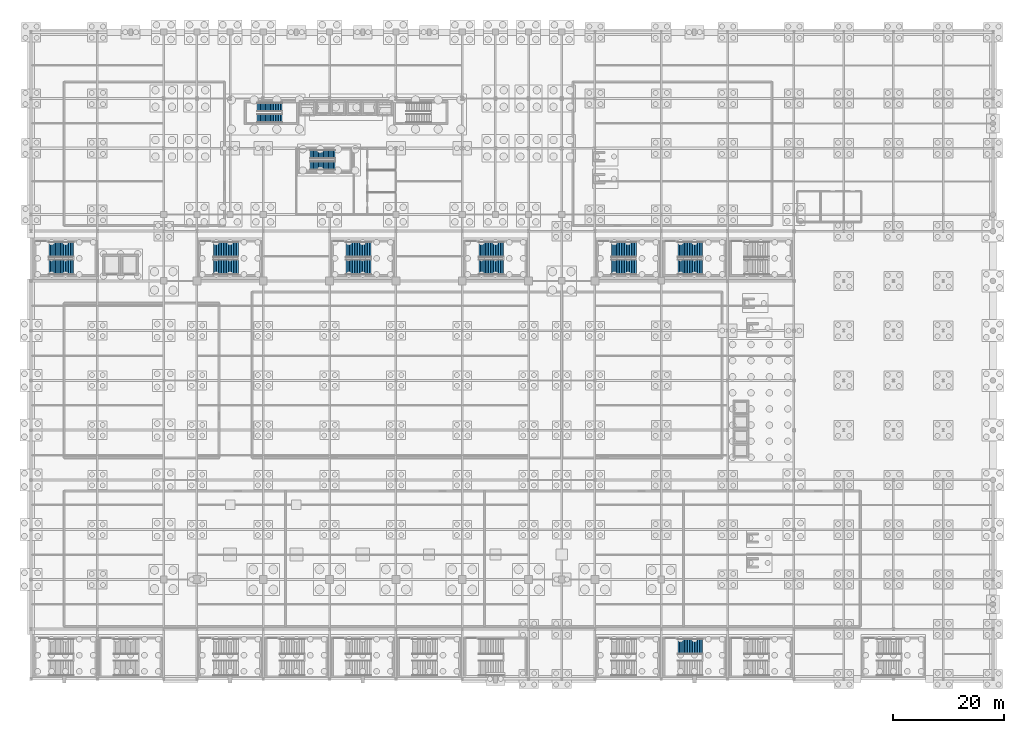
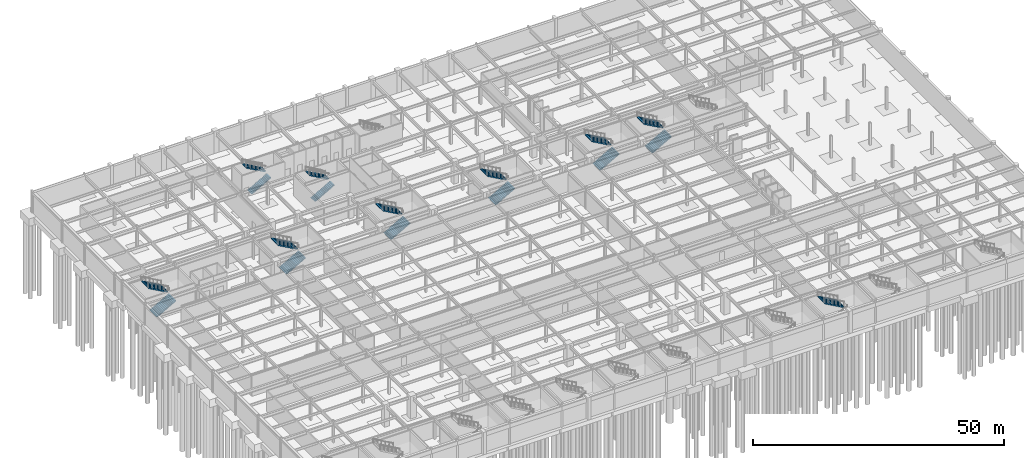
# One storey, part 37 of 47: 17 stair flights, 9 elements without a shape of their own.
"""IFC4 building model written with IfcOpenShell, lengths in metres."""

from ifc_helpers import new_model, si_unit, direction, frame, origin, place, context, subcontext, project, spatial, polyline, outline, extrude, material, type_object, element, aggregate, save


model = new_model("IFC4")

# Units and contexts
model_context = context("Model", 3, precision=1e-05, world=origin(), true_north=direction((0.0, 1.0)))
body_context = subcontext(model_context, "Body", "Model", "MODEL_VIEW")
ifc_project = project(units=[si_unit("LENGTHUNIT", "METRE"), si_unit("AREAUNIT", "SQUARE_METRE"), si_unit("VOLUMEUNIT", "CUBIC_METRE"), si_unit("PLANEANGLEUNIT", "RADIAN"), si_unit("MASSUNIT", "GRAM", prefix="KILO")], contexts=[model_context])

# Site, building, storey
site_placement = place(None, origin())
site = spatial("IfcSite", under=ifc_project, at=site_placement, CompositionType="ELEMENT")
building_placement = place(site_placement, origin())
building = spatial("IfcBuilding", under=site, at=building_placement, Name="Kaldorvane Square Convention Centre", CompositionType="ELEMENT")
storey_placement = place(building_placement, frame((0.0, 0.0, -5.399993896484375)))
storey = spatial("IfcBuildingStorey", under=building, at=storey_placement, Name="B01", CompositionType="ELEMENT", Elevation=-5.399993896484375)

# Stair, stair flights
ifc_material = material(Name="Concrete f'c = 42 MPa (Normalweight)", Category="concrete")
stair_type_1 = type_object("IfcStairType", Name="ST-DL-1600-5400", PredefinedType="HALF_TURN_STAIR", material=ifc_material)
stair_1_placement = place(storey_placement, origin())
stair_1 = element("IfcStair", 1, at=stair_1_placement, inside=storey, type_object=stair_type_1, Name="Tower Exit Stair T1 (B01)", PredefinedType="HALF_TURN_STAIR")
stair_flight_type_1 = type_object("IfcStairFlightType", Name="SF-STR-1600-16R", PredefinedType="STRAIGHT", material=ifc_material)
stair_flight_1_placement = place(storey_placement, frame((40.899993896484375, 101.41000366210938, 0.0), z_axis=(0.0, 0.0, 1.0), x_axis=(1.0, 0.0, 0.0)))
stair_flight_1 = element("IfcStairFlight", 2, at=stair_flight_1_placement, type_object=stair_flight_type_1, Name="Tower Exit Stair T1 Flight 1 (B01)", NumberOfRisers=16, NumberOfTreads=15, PredefinedType="STRAIGHT", RiserHeight=0.16875, TreadLength=0.3, context=body_context, shape_type="SweptSolid", body=[
    extrude(outline(polyline([(0.0, 0.0), (0.0, 0.1687469482421875), (0.3000030517578125, 0.1687469482421875), (0.3000030517578125, 0.337493896484375), (0.600006103515625, 0.337493896484375), (0.600006103515625, 0.506256103515625), (0.899993896484375, 0.506256103515625), (0.899993896484375, 0.6750030517578125), (1.1999969482421875, 0.6750030517578125), (1.1999969482421875, 0.84375), (1.5, 0.84375), (1.5, 1.0124969482421875), (1.8000030517578125, 1.0124969482421875), (1.8000030517578125, 1.181243896484375), (2.100006103515625, 1.181243896484375), (2.100006103515625, 1.350006103515625), (2.399993896484375, 1.350006103515625), (2.399993896484375, 1.5187530517578125), (2.6999969482421875, 1.5187530517578125), (2.6999969482421875, 1.6875), (3.0, 1.6875), (3.0, 1.8562469482421875), (3.3000030517578125, 1.8562469482421875), (3.3000030517578125, 2.024993896484375), (3.600006103515625, 2.024993896484375), (3.600006103515625, 2.193756103515625), (3.899993896484375, 2.193756103515625), (3.899993896484375, 2.3625030517578125), (4.1999969482421875, 2.3625030517578125), (4.1999969482421875, 2.53125), (4.5, 2.53125), (4.5, 2.6999969482421875), (4.5, 2.301788330078125), (0.4079437255859375, 0.0), (0.0, 0.0)])), frame((0.0, 0.8000030517578125, 0.0), z_axis=(0.0, -1.0, 0.0), x_axis=(1.0, 0.0, 0.0)), (0.0, 0.0, 1.0), 1.600006103515625),
])
stair_flight_2_placement = place(storey_placement, frame((45.399993896484375, 103.44999694824219, 2.6999969482421875), z_axis=(0.0, 0.0, 1.0), x_axis=(-1.0, 0.0, 0.0)))
stair_flight_2 = element("IfcStairFlight", 3, at=stair_flight_2_placement, type_object=stair_flight_type_1, Name="Tower Exit Stair T1 Flight 2 (B01)", NumberOfRisers=16, NumberOfTreads=15, PredefinedType="STRAIGHT", RiserHeight=0.16875, TreadLength=0.3, context=body_context, shape_type="SweptSolid", body=[
    extrude(outline(polyline([(0.0, 0.0), (0.0, 0.1687469482421875), (0.3000030517578125, 0.1687469482421875), (0.3000030517578125, 0.337493896484375), (0.600006103515625, 0.337493896484375), (0.600006103515625, 0.506256103515625), (0.899993896484375, 0.506256103515625), (0.899993896484375, 0.6750030517578125), (1.1999969482421875, 0.6750030517578125), (1.1999969482421875, 0.84375), (1.5, 0.84375), (1.5, 1.0124969482421875), (1.8000030517578125, 1.0124969482421875), (1.8000030517578125, 1.181243896484375), (2.100006103515625, 1.181243896484375), (2.100006103515625, 1.350006103515625), (2.399993896484375, 1.350006103515625), (2.399993896484375, 1.5187530517578125), (2.6999969482421875, 1.5187530517578125), (2.6999969482421875, 1.6875), (3.0, 1.6875), (3.0, 1.8562469482421875), (3.3000030517578125, 1.8562469482421875), (3.3000030517578125, 2.024993896484375), (3.600006103515625, 2.024993896484375), (3.600006103515625, 2.193756103515625), (3.899993896484375, 2.193756103515625), (3.899993896484375, 2.3625030517578125), (4.1999969482421875, 2.3625030517578125), (4.1999969482421875, 2.53125), (4.5, 2.53125), (4.5, 2.6999969482421875), (4.5, 2.301788330078125), (0.4079437255859375, 0.0), (0.0, 0.0)])), frame((0.0, 0.8000030517578125, 0.0), z_axis=(0.0, -1.0, 0.0), x_axis=(1.0, 0.0, 0.0)), (0.0, 0.0, 1.0), 1.600006103515625),
])
aggregate(stair_1, [stair_flight_1, stair_flight_2])

stair_2_placement = place(storey_placement, origin())
stair_2 = element("IfcStair", 4, at=stair_2_placement, inside=storey, type_object=stair_type_1, Name="Tower Exit Stair T3 (B01)", PredefinedType="HALF_TURN_STAIR")
stair_flight_3_placement = place(storey_placement, frame((50.5, 92.86000061035156, 0.0), z_axis=(0.0, 0.0, 1.0), x_axis=(1.0, 0.0, 0.0)))
stair_flight_3 = element("IfcStairFlight", 5, at=stair_flight_3_placement, type_object=stair_flight_type_1, Name="Tower Exit Stair T3 Flight 1 (B01)", NumberOfRisers=16, NumberOfTreads=15, PredefinedType="STRAIGHT", RiserHeight=0.16875, TreadLength=0.3, context=body_context, shape_type="SweptSolid", body=[
    extrude(outline(polyline([(0.0, 0.0), (0.0, 0.1687469482421875), (0.3000030517578125, 0.1687469482421875), (0.3000030517578125, 0.337493896484375), (0.600006103515625, 0.337493896484375), (0.600006103515625, 0.506256103515625), (0.899993896484375, 0.506256103515625), (0.899993896484375, 0.6750030517578125), (1.1999969482421875, 0.6750030517578125), (1.1999969482421875, 0.84375), (1.5, 0.84375), (1.5, 1.0124969482421875), (1.8000030517578125, 1.0124969482421875), (1.8000030517578125, 1.181243896484375), (2.100006103515625, 1.181243896484375), (2.100006103515625, 1.350006103515625), (2.399993896484375, 1.350006103515625), (2.399993896484375, 1.5187530517578125), (2.6999969482421875, 1.5187530517578125), (2.6999969482421875, 1.6875), (3.0, 1.6875), (3.0, 1.8562469482421875), (3.3000030517578125, 1.8562469482421875), (3.3000030517578125, 2.024993896484375), (3.600006103515625, 2.024993896484375), (3.600006103515625, 2.193756103515625), (3.899993896484375, 2.193756103515625), (3.899993896484375, 2.3625030517578125), (4.1999969482421875, 2.3625030517578125), (4.1999969482421875, 2.53125), (4.5, 2.53125), (4.5, 2.6999969482421875), (4.5, 2.301788330078125), (0.4079437255859375, 0.0), (0.0, 0.0)])), frame((0.0, 0.8000030517578125, 0.0), z_axis=(0.0, -1.0, 0.0), x_axis=(1.0, 0.0, 0.0)), (0.0, 0.0, 1.0), 1.600006103515625),
])
stair_flight_4_placement = place(storey_placement, frame((55.0, 94.89999389648438, 2.6999969482421875), z_axis=(0.0, 0.0, 1.0), x_axis=(-1.0, 0.0, 0.0)))
stair_flight_4 = element("IfcStairFlight", 6, at=stair_flight_4_placement, type_object=stair_flight_type_1, Name="Tower Exit Stair T3 Flight 2 (B01)", NumberOfRisers=16, NumberOfTreads=15, PredefinedType="STRAIGHT", RiserHeight=0.16875, TreadLength=0.3, context=body_context, shape_type="SweptSolid", body=[
    extrude(outline(polyline([(0.0, 0.0), (0.0, 0.1687469482421875), (0.3000030517578125, 0.1687469482421875), (0.3000030517578125, 0.337493896484375), (0.600006103515625, 0.337493896484375), (0.600006103515625, 0.506256103515625), (0.899993896484375, 0.506256103515625), (0.899993896484375, 0.6750030517578125), (1.1999969482421875, 0.6750030517578125), (1.1999969482421875, 0.84375), (1.5, 0.84375), (1.5, 1.0124969482421875), (1.8000030517578125, 1.0124969482421875), (1.8000030517578125, 1.181243896484375), (2.100006103515625, 1.181243896484375), (2.100006103515625, 1.350006103515625), (2.399993896484375, 1.350006103515625), (2.399993896484375, 1.5187530517578125), (2.6999969482421875, 1.5187530517578125), (2.6999969482421875, 1.6875), (3.0, 1.6875), (3.0, 1.8562469482421875), (3.3000030517578125, 1.8562469482421875), (3.3000030517578125, 2.024993896484375), (3.600006103515625, 2.024993896484375), (3.600006103515625, 2.193756103515625), (3.899993896484375, 2.193756103515625), (3.899993896484375, 2.3625030517578125), (4.1999969482421875, 2.3625030517578125), (4.1999969482421875, 2.53125), (4.5, 2.53125), (4.5, 2.6999969482421875), (4.5, 2.301788330078125), (0.4079437255859375, 0.0), (0.0, 0.0)])), frame((0.0, 0.8000030517578125, 0.0), z_axis=(0.0, -1.0, 0.0), x_axis=(1.0, 0.0, 0.0)), (0.0, 0.0, 1.0), 1.600006103515625),
])
aggregate(stair_2, [stair_flight_3, stair_flight_4])

# Stair, stair flight
stair_type_2 = type_object("IfcStairType", Name="ST-DL-2800-5400-D6710", PredefinedType="HALF_TURN_STAIR", material=ifc_material)
stair_3_placement = place(storey_placement, origin())
stair_3 = element("IfcStair", 7, at=stair_3_placement, inside=storey, type_object=stair_type_2, Name="Convention Exit Stair C9 (B01)", PredefinedType="HALF_TURN_STAIR")
stair_flight_type_2 = type_object("IfcStairFlightType", Name="SF-STR-2800-16R", PredefinedType="STRAIGHT", material=ifc_material)
stair_flight_5_placement = place(storey_placement, frame((121.49000549316406, 5.8600006103515625, 2.6999969482421875), z_axis=(0.0, 0.0, 1.0), x_axis=(-1.0, 0.0, 0.0)))
stair_flight_5 = element("IfcStairFlight", 8, at=stair_flight_5_placement, type_object=stair_flight_type_2, Name="Convention Exit Stair C9 Flight 2 (B01)", NumberOfRisers=16, NumberOfTreads=15, PredefinedType="STRAIGHT", RiserHeight=0.16875, TreadLength=0.3, context=body_context, shape_type="SweptSolid", body=[
    extrude(outline(polyline([(0.0, 0.0), (0.0, 0.1687469482421875), (0.3000030517578125, 0.1687469482421875), (0.3000030517578125, 0.337493896484375), (0.600006103515625, 0.337493896484375), (0.600006103515625, 0.506256103515625), (0.899993896484375, 0.506256103515625), (0.899993896484375, 0.6750030517578125), (1.1999969482421875, 0.6750030517578125), (1.1999969482421875, 0.84375), (1.5, 0.84375), (1.5, 1.0124969482421875), (1.8000030517578125, 1.0124969482421875), (1.8000030517578125, 1.181243896484375), (2.100006103515625, 1.181243896484375), (2.100006103515625, 1.350006103515625), (2.399993896484375, 1.350006103515625), (2.399993896484375, 1.5187530517578125), (2.6999969482421875, 1.5187530517578125), (2.6999969482421875, 1.6875), (3.0, 1.6875), (3.0, 1.8562469482421875), (3.3000030517578125, 1.8562469482421875), (3.3000030517578125, 2.024993896484375), (3.600006103515625, 2.024993896484375), (3.600006103515625, 2.193756103515625), (3.899993896484375, 2.193756103515625), (3.899993896484375, 2.3625030517578125), (4.1999969482421875, 2.3625030517578125), (4.1999969482421875, 2.53125), (4.5, 2.53125), (4.5, 2.6999969482421875), (4.5, 2.301788330078125), (0.4079437255859375, 0.0), (0.0, 0.0)])), frame((0.0, 1.399993896484375, 0.0), z_axis=(0.0, -1.0, 0.0), x_axis=(1.0, 0.0, 0.0)), (0.0, 0.0, 1.0), 2.8000030517578125),
])
aggregate(stair_3, [stair_flight_5])

# Stair, stair flights
stair_type_3 = type_object("IfcStairType", Name="ST-DL-2800-5400", PredefinedType="HALF_TURN_STAIR", material=ifc_material)
stair_4_placement = place(storey_placement, origin())
stair_4 = element("IfcStair", 9, at=stair_4_placement, inside=storey, type_object=stair_type_3, Name="Convention Exit Stair C12 (B01)", PredefinedType="HALF_TURN_STAIR")
stair_flight_6_placement = place(storey_placement, frame((3.2100067138671875, 74.5, 0.0), z_axis=(0.0, 0.0, 1.0), x_axis=(1.0, 0.0, 0.0)))
stair_flight_6 = element("IfcStairFlight", 10, at=stair_flight_6_placement, type_object=stair_flight_type_2, Name="Convention Exit Stair C12 Flight 1 (B01)", NumberOfRisers=16, NumberOfTreads=15, PredefinedType="STRAIGHT", RiserHeight=0.16875, TreadLength=0.3, context=body_context, shape_type="SweptSolid", body=[
    extrude(outline(polyline([(0.0, 0.0), (0.0, 0.1687469482421875), (0.3000030517578125, 0.1687469482421875), (0.3000030517578125, 0.337493896484375), (0.600006103515625, 0.337493896484375), (0.600006103515625, 0.506256103515625), (0.899993896484375, 0.506256103515625), (0.899993896484375, 0.6750030517578125), (1.1999969482421875, 0.6750030517578125), (1.1999969482421875, 0.84375), (1.5, 0.84375), (1.5, 1.0124969482421875), (1.8000030517578125, 1.0124969482421875), (1.8000030517578125, 1.181243896484375), (2.100006103515625, 1.181243896484375), (2.100006103515625, 1.350006103515625), (2.399993896484375, 1.350006103515625), (2.399993896484375, 1.5187530517578125), (2.6999969482421875, 1.5187530517578125), (2.6999969482421875, 1.6875), (3.0, 1.6875), (3.0, 1.8562469482421875), (3.3000030517578125, 1.8562469482421875), (3.3000030517578125, 2.024993896484375), (3.600006103515625, 2.024993896484375), (3.600006103515625, 2.193756103515625), (3.899993896484375, 2.193756103515625), (3.899993896484375, 2.3625030517578125), (4.1999969482421875, 2.3625030517578125), (4.1999969482421875, 2.53125), (4.5, 2.53125), (4.5, 2.6999969482421875), (4.5, 2.301788330078125), (0.4079437255859375, 0.0), (0.0, 0.0)])), frame((0.0, 1.399993896484375, 0.0), z_axis=(0.0, -1.0, 0.0), x_axis=(1.0, 0.0, 0.0)), (0.0, 0.0, 1.0), 2.8000030517578125),
])
stair_flight_7_placement = place(storey_placement, frame((7.7100067138671875, 77.66000366210938, 2.6999969482421875), z_axis=(0.0, 0.0, 1.0), x_axis=(-1.0, 0.0, 0.0)))
stair_flight_7 = element("IfcStairFlight", 11, at=stair_flight_7_placement, type_object=stair_flight_type_2, Name="Convention Exit Stair C12 Flight 2 (B01)", NumberOfRisers=16, NumberOfTreads=15, PredefinedType="STRAIGHT", RiserHeight=0.16875, TreadLength=0.3, context=body_context, shape_type="SweptSolid", body=[
    extrude(outline(polyline([(0.0, 0.0), (0.0, 0.1687469482421875), (0.3000030517578125, 0.1687469482421875), (0.3000030517578125, 0.337493896484375), (0.600006103515625, 0.337493896484375), (0.600006103515625, 0.506256103515625), (0.899993896484375, 0.506256103515625), (0.899993896484375, 0.6750030517578125), (1.1999969482421875, 0.6750030517578125), (1.1999969482421875, 0.84375), (1.5, 0.84375), (1.5, 1.0124969482421875), (1.8000030517578125, 1.0124969482421875), (1.8000030517578125, 1.181243896484375), (2.100006103515625, 1.181243896484375), (2.100006103515625, 1.350006103515625), (2.399993896484375, 1.350006103515625), (2.399993896484375, 1.5187530517578125), (2.6999969482421875, 1.5187530517578125), (2.6999969482421875, 1.6875), (3.0, 1.6875), (3.0, 1.8562469482421875), (3.3000030517578125, 1.8562469482421875), (3.3000030517578125, 2.024993896484375), (3.600006103515625, 2.024993896484375), (3.600006103515625, 2.193756103515625), (3.899993896484375, 2.193756103515625), (3.899993896484375, 2.3625030517578125), (4.1999969482421875, 2.3625030517578125), (4.1999969482421875, 2.53125), (4.5, 2.53125), (4.5, 2.6999969482421875), (4.5, 2.301788330078125), (0.4079437255859375, 0.0), (0.0, 0.0)])), frame((0.0, 1.399993896484375, 0.0), z_axis=(0.0, -1.0, 0.0), x_axis=(1.0, 0.0, 0.0)), (0.0, 0.0, 1.0), 2.8000030517578125),
])
aggregate(stair_4, [stair_flight_6, stair_flight_7])

stair_5_placement = place(storey_placement, origin())
stair_5 = element("IfcStair", 12, at=stair_5_placement, inside=storey, type_object=stair_type_3, Name="Convention Exit Stair C13 (B01)", PredefinedType="HALF_TURN_STAIR")
stair_flight_8_placement = place(storey_placement, frame((32.99000549316406, 74.5, 0.0), z_axis=(0.0, 0.0, 1.0), x_axis=(1.0, 0.0, 0.0)))
stair_flight_8 = element("IfcStairFlight", 13, at=stair_flight_8_placement, type_object=stair_flight_type_2, Name="Convention Exit Stair C13 Flight 1 (B01)", NumberOfRisers=16, NumberOfTreads=15, PredefinedType="STRAIGHT", RiserHeight=0.16875, TreadLength=0.3, context=body_context, shape_type="SweptSolid", body=[
    extrude(outline(polyline([(0.0, 0.0), (0.0, 0.1687469482421875), (0.3000030517578125, 0.1687469482421875), (0.3000030517578125, 0.337493896484375), (0.600006103515625, 0.337493896484375), (0.600006103515625, 0.506256103515625), (0.899993896484375, 0.506256103515625), (0.899993896484375, 0.6750030517578125), (1.1999969482421875, 0.6750030517578125), (1.1999969482421875, 0.84375), (1.5, 0.84375), (1.5, 1.0124969482421875), (1.8000030517578125, 1.0124969482421875), (1.8000030517578125, 1.181243896484375), (2.100006103515625, 1.181243896484375), (2.100006103515625, 1.350006103515625), (2.399993896484375, 1.350006103515625), (2.399993896484375, 1.5187530517578125), (2.6999969482421875, 1.5187530517578125), (2.6999969482421875, 1.6875), (3.0, 1.6875), (3.0, 1.8562469482421875), (3.3000030517578125, 1.8562469482421875), (3.3000030517578125, 2.024993896484375), (3.600006103515625, 2.024993896484375), (3.600006103515625, 2.193756103515625), (3.899993896484375, 2.193756103515625), (3.899993896484375, 2.3625030517578125), (4.1999969482421875, 2.3625030517578125), (4.1999969482421875, 2.53125), (4.5, 2.53125), (4.5, 2.6999969482421875), (4.5, 2.301788330078125), (0.4079437255859375, 0.0), (0.0, 0.0)])), frame((0.0, 1.399993896484375, 0.0), z_axis=(0.0, -1.0, 0.0), x_axis=(1.0, 0.0, 0.0)), (0.0, 0.0, 1.0), 2.8000030517578125),
])
stair_flight_9_placement = place(storey_placement, frame((37.49000549316406, 77.66000366210938, 2.6999969482421875), z_axis=(0.0, 0.0, 1.0), x_axis=(-1.0, 0.0, 0.0)))
stair_flight_9 = element("IfcStairFlight", 14, at=stair_flight_9_placement, type_object=stair_flight_type_2, Name="Convention Exit Stair C13 Flight 2 (B01)", NumberOfRisers=16, NumberOfTreads=15, PredefinedType="STRAIGHT", RiserHeight=0.16875, TreadLength=0.3, context=body_context, shape_type="SweptSolid", body=[
    extrude(outline(polyline([(0.0, 0.0), (0.0, 0.1687469482421875), (0.3000030517578125, 0.1687469482421875), (0.3000030517578125, 0.337493896484375), (0.600006103515625, 0.337493896484375), (0.600006103515625, 0.506256103515625), (0.899993896484375, 0.506256103515625), (0.899993896484375, 0.6750030517578125), (1.1999969482421875, 0.6750030517578125), (1.1999969482421875, 0.84375), (1.5, 0.84375), (1.5, 1.0124969482421875), (1.8000030517578125, 1.0124969482421875), (1.8000030517578125, 1.181243896484375), (2.100006103515625, 1.181243896484375), (2.100006103515625, 1.350006103515625), (2.399993896484375, 1.350006103515625), (2.399993896484375, 1.5187530517578125), (2.6999969482421875, 1.5187530517578125), (2.6999969482421875, 1.6875), (3.0, 1.6875), (3.0, 1.8562469482421875), (3.3000030517578125, 1.8562469482421875), (3.3000030517578125, 2.024993896484375), (3.600006103515625, 2.024993896484375), (3.600006103515625, 2.193756103515625), (3.899993896484375, 2.193756103515625), (3.899993896484375, 2.3625030517578125), (4.1999969482421875, 2.3625030517578125), (4.1999969482421875, 2.53125), (4.5, 2.53125), (4.5, 2.6999969482421875), (4.5, 2.301788330078125), (0.4079437255859375, 0.0), (0.0, 0.0)])), frame((0.0, 1.399993896484375, 0.0), z_axis=(0.0, -1.0, 0.0), x_axis=(1.0, 0.0, 0.0)), (0.0, 0.0, 1.0), 2.8000030517578125),
])
aggregate(stair_5, [stair_flight_8, stair_flight_9])

stair_6_placement = place(storey_placement, origin())
stair_6 = element("IfcStair", 15, at=stair_6_placement, inside=storey, type_object=stair_type_3, Name="Convention Exit Stair C14 (B01)", PredefinedType="HALF_TURN_STAIR")
stair_flight_10_placement = place(storey_placement, frame((56.99000549316406, 74.5, 0.0), z_axis=(0.0, 0.0, 1.0), x_axis=(1.0, 0.0, 0.0)))
stair_flight_10 = element("IfcStairFlight", 16, at=stair_flight_10_placement, type_object=stair_flight_type_2, Name="Convention Exit Stair C14 Flight 1 (B01)", NumberOfRisers=16, NumberOfTreads=15, PredefinedType="STRAIGHT", RiserHeight=0.16875, TreadLength=0.3, context=body_context, shape_type="SweptSolid", body=[
    extrude(outline(polyline([(0.0, 0.0), (0.0, 0.1687469482421875), (0.3000030517578125, 0.1687469482421875), (0.3000030517578125, 0.337493896484375), (0.600006103515625, 0.337493896484375), (0.600006103515625, 0.506256103515625), (0.899993896484375, 0.506256103515625), (0.899993896484375, 0.6750030517578125), (1.1999969482421875, 0.6750030517578125), (1.1999969482421875, 0.84375), (1.5, 0.84375), (1.5, 1.0124969482421875), (1.8000030517578125, 1.0124969482421875), (1.8000030517578125, 1.181243896484375), (2.100006103515625, 1.181243896484375), (2.100006103515625, 1.350006103515625), (2.399993896484375, 1.350006103515625), (2.399993896484375, 1.5187530517578125), (2.6999969482421875, 1.5187530517578125), (2.6999969482421875, 1.6875), (3.0, 1.6875), (3.0, 1.8562469482421875), (3.3000030517578125, 1.8562469482421875), (3.3000030517578125, 2.024993896484375), (3.600006103515625, 2.024993896484375), (3.600006103515625, 2.193756103515625), (3.899993896484375, 2.193756103515625), (3.899993896484375, 2.3625030517578125), (4.1999969482421875, 2.3625030517578125), (4.1999969482421875, 2.53125), (4.5, 2.53125), (4.5, 2.6999969482421875), (4.5, 2.301788330078125), (0.4079437255859375, 0.0), (0.0, 0.0)])), frame((0.0, 1.399993896484375, 0.0), z_axis=(0.0, -1.0, 0.0), x_axis=(1.0, 0.0, 0.0)), (0.0, 0.0, 1.0), 2.8000030517578125),
])
stair_flight_11_placement = place(storey_placement, frame((61.49000549316406, 77.66000366210938, 2.6999969482421875), z_axis=(0.0, 0.0, 1.0), x_axis=(-1.0, 0.0, 0.0)))
stair_flight_11 = element("IfcStairFlight", 17, at=stair_flight_11_placement, type_object=stair_flight_type_2, Name="Convention Exit Stair C14 Flight 2 (B01)", NumberOfRisers=16, NumberOfTreads=15, PredefinedType="STRAIGHT", RiserHeight=0.16875, TreadLength=0.3, context=body_context, shape_type="SweptSolid", body=[
    extrude(outline(polyline([(0.0, 0.0), (0.0, 0.1687469482421875), (0.3000030517578125, 0.1687469482421875), (0.3000030517578125, 0.337493896484375), (0.600006103515625, 0.337493896484375), (0.600006103515625, 0.506256103515625), (0.899993896484375, 0.506256103515625), (0.899993896484375, 0.6750030517578125), (1.1999969482421875, 0.6750030517578125), (1.1999969482421875, 0.84375), (1.5, 0.84375), (1.5, 1.0124969482421875), (1.8000030517578125, 1.0124969482421875), (1.8000030517578125, 1.181243896484375), (2.100006103515625, 1.181243896484375), (2.100006103515625, 1.350006103515625), (2.399993896484375, 1.350006103515625), (2.399993896484375, 1.5187530517578125), (2.6999969482421875, 1.5187530517578125), (2.6999969482421875, 1.6875), (3.0, 1.6875), (3.0, 1.8562469482421875), (3.3000030517578125, 1.8562469482421875), (3.3000030517578125, 2.024993896484375), (3.600006103515625, 2.024993896484375), (3.600006103515625, 2.193756103515625), (3.899993896484375, 2.193756103515625), (3.899993896484375, 2.3625030517578125), (4.1999969482421875, 2.3625030517578125), (4.1999969482421875, 2.53125), (4.5, 2.53125), (4.5, 2.6999969482421875), (4.5, 2.301788330078125), (0.4079437255859375, 0.0), (0.0, 0.0)])), frame((0.0, 1.399993896484375, 0.0), z_axis=(0.0, -1.0, 0.0), x_axis=(1.0, 0.0, 0.0)), (0.0, 0.0, 1.0), 2.8000030517578125),
])
aggregate(stair_6, [stair_flight_10, stair_flight_11])

stair_7_placement = place(storey_placement, origin())
stair_7 = element("IfcStair", 18, at=stair_7_placement, inside=storey, type_object=stair_type_3, Name="Convention Exit Stair C15 (B01)", PredefinedType="HALF_TURN_STAIR")
stair_flight_12_placement = place(storey_placement, frame((80.99000549316406, 74.5, 0.0), z_axis=(0.0, 0.0, 1.0), x_axis=(1.0, 0.0, 0.0)))
stair_flight_12 = element("IfcStairFlight", 19, at=stair_flight_12_placement, type_object=stair_flight_type_2, Name="Convention Exit Stair C15 Flight 1 (B01)", NumberOfRisers=16, NumberOfTreads=15, PredefinedType="STRAIGHT", RiserHeight=0.16875, TreadLength=0.3, context=body_context, shape_type="SweptSolid", body=[
    extrude(outline(polyline([(0.0, 0.0), (0.0, 0.1687469482421875), (0.3000030517578125, 0.1687469482421875), (0.3000030517578125, 0.337493896484375), (0.600006103515625, 0.337493896484375), (0.600006103515625, 0.506256103515625), (0.899993896484375, 0.506256103515625), (0.899993896484375, 0.6750030517578125), (1.1999969482421875, 0.6750030517578125), (1.1999969482421875, 0.84375), (1.5, 0.84375), (1.5, 1.0124969482421875), (1.8000030517578125, 1.0124969482421875), (1.8000030517578125, 1.181243896484375), (2.100006103515625, 1.181243896484375), (2.100006103515625, 1.350006103515625), (2.399993896484375, 1.350006103515625), (2.399993896484375, 1.5187530517578125), (2.6999969482421875, 1.5187530517578125), (2.6999969482421875, 1.6875), (3.0, 1.6875), (3.0, 1.8562469482421875), (3.3000030517578125, 1.8562469482421875), (3.3000030517578125, 2.024993896484375), (3.600006103515625, 2.024993896484375), (3.600006103515625, 2.193756103515625), (3.899993896484375, 2.193756103515625), (3.899993896484375, 2.3625030517578125), (4.1999969482421875, 2.3625030517578125), (4.1999969482421875, 2.53125), (4.5, 2.53125), (4.5, 2.6999969482421875), (4.5, 2.301788330078125), (0.4079437255859375, 0.0), (0.0, 0.0)])), frame((0.0, 1.399993896484375, 0.0), z_axis=(0.0, -1.0, 0.0), x_axis=(1.0, 0.0, 0.0)), (0.0, 0.0, 1.0), 2.8000030517578125),
])
stair_flight_13_placement = place(storey_placement, frame((85.49000549316406, 77.66000366210938, 2.6999969482421875), z_axis=(0.0, 0.0, 1.0), x_axis=(-1.0, 0.0, 0.0)))
stair_flight_13 = element("IfcStairFlight", 20, at=stair_flight_13_placement, type_object=stair_flight_type_2, Name="Convention Exit Stair C15 Flight 2 (B01)", NumberOfRisers=16, NumberOfTreads=15, PredefinedType="STRAIGHT", RiserHeight=0.16875, TreadLength=0.3, context=body_context, shape_type="SweptSolid", body=[
    extrude(outline(polyline([(0.0, 0.0), (0.0, 0.1687469482421875), (0.3000030517578125, 0.1687469482421875), (0.3000030517578125, 0.337493896484375), (0.600006103515625, 0.337493896484375), (0.600006103515625, 0.506256103515625), (0.899993896484375, 0.506256103515625), (0.899993896484375, 0.6750030517578125), (1.1999969482421875, 0.6750030517578125), (1.1999969482421875, 0.84375), (1.5, 0.84375), (1.5, 1.0124969482421875), (1.8000030517578125, 1.0124969482421875), (1.8000030517578125, 1.181243896484375), (2.100006103515625, 1.181243896484375), (2.100006103515625, 1.350006103515625), (2.399993896484375, 1.350006103515625), (2.399993896484375, 1.5187530517578125), (2.6999969482421875, 1.5187530517578125), (2.6999969482421875, 1.6875), (3.0, 1.6875), (3.0, 1.8562469482421875), (3.3000030517578125, 1.8562469482421875), (3.3000030517578125, 2.024993896484375), (3.600006103515625, 2.024993896484375), (3.600006103515625, 2.193756103515625), (3.899993896484375, 2.193756103515625), (3.899993896484375, 2.3625030517578125), (4.1999969482421875, 2.3625030517578125), (4.1999969482421875, 2.53125), (4.5, 2.53125), (4.5, 2.6999969482421875), (4.5, 2.301788330078125), (0.4079437255859375, 0.0), (0.0, 0.0)])), frame((0.0, 1.399993896484375, 0.0), z_axis=(0.0, -1.0, 0.0), x_axis=(1.0, 0.0, 0.0)), (0.0, 0.0, 1.0), 2.8000030517578125),
])
aggregate(stair_7, [stair_flight_12, stair_flight_13])

stair_8_placement = place(storey_placement, origin())
stair_8 = element("IfcStair", 21, at=stair_8_placement, inside=storey, type_object=stair_type_3, Name="Convention Exit Stair C16 (B01)", PredefinedType="HALF_TURN_STAIR")
stair_flight_14_placement = place(storey_placement, frame((104.99000549316406, 74.5, 0.0), z_axis=(0.0, 0.0, 1.0), x_axis=(1.0, 0.0, 0.0)))
stair_flight_14 = element("IfcStairFlight", 22, at=stair_flight_14_placement, type_object=stair_flight_type_2, Name="Convention Exit Stair C16 Flight 1 (B01)", NumberOfRisers=16, NumberOfTreads=15, PredefinedType="STRAIGHT", RiserHeight=0.16875, TreadLength=0.3, context=body_context, shape_type="SweptSolid", body=[
    extrude(outline(polyline([(0.0, 0.0), (0.0, 0.1687469482421875), (0.3000030517578125, 0.1687469482421875), (0.3000030517578125, 0.337493896484375), (0.600006103515625, 0.337493896484375), (0.600006103515625, 0.506256103515625), (0.899993896484375, 0.506256103515625), (0.899993896484375, 0.6750030517578125), (1.1999969482421875, 0.6750030517578125), (1.1999969482421875, 0.84375), (1.5, 0.84375), (1.5, 1.0124969482421875), (1.8000030517578125, 1.0124969482421875), (1.8000030517578125, 1.181243896484375), (2.100006103515625, 1.181243896484375), (2.100006103515625, 1.350006103515625), (2.399993896484375, 1.350006103515625), (2.399993896484375, 1.5187530517578125), (2.6999969482421875, 1.5187530517578125), (2.6999969482421875, 1.6875), (3.0, 1.6875), (3.0, 1.8562469482421875), (3.3000030517578125, 1.8562469482421875), (3.3000030517578125, 2.024993896484375), (3.600006103515625, 2.024993896484375), (3.600006103515625, 2.193756103515625), (3.899993896484375, 2.193756103515625), (3.899993896484375, 2.3625030517578125), (4.1999969482421875, 2.3625030517578125), (4.1999969482421875, 2.53125), (4.5, 2.53125), (4.5, 2.6999969482421875), (4.5, 2.301788330078125), (0.4079437255859375, 0.0), (0.0, 0.0)])), frame((0.0, 1.399993896484375, 0.0), z_axis=(0.0, -1.0, 0.0), x_axis=(1.0, 0.0, 0.0)), (0.0, 0.0, 1.0), 2.8000030517578125),
])
stair_flight_15_placement = place(storey_placement, frame((109.49000549316406, 77.66000366210938, 2.6999969482421875), z_axis=(0.0, 0.0, 1.0), x_axis=(-1.0, 0.0, 0.0)))
stair_flight_15 = element("IfcStairFlight", 23, at=stair_flight_15_placement, type_object=stair_flight_type_2, Name="Convention Exit Stair C16 Flight 2 (B01)", NumberOfRisers=16, NumberOfTreads=15, PredefinedType="STRAIGHT", RiserHeight=0.16875, TreadLength=0.3, context=body_context, shape_type="SweptSolid", body=[
    extrude(outline(polyline([(0.0, 0.0), (0.0, 0.1687469482421875), (0.3000030517578125, 0.1687469482421875), (0.3000030517578125, 0.337493896484375), (0.600006103515625, 0.337493896484375), (0.600006103515625, 0.506256103515625), (0.899993896484375, 0.506256103515625), (0.899993896484375, 0.6750030517578125), (1.1999969482421875, 0.6750030517578125), (1.1999969482421875, 0.84375), (1.5, 0.84375), (1.5, 1.0124969482421875), (1.8000030517578125, 1.0124969482421875), (1.8000030517578125, 1.181243896484375), (2.100006103515625, 1.181243896484375), (2.100006103515625, 1.350006103515625), (2.399993896484375, 1.350006103515625), (2.399993896484375, 1.5187530517578125), (2.6999969482421875, 1.5187530517578125), (2.6999969482421875, 1.6875), (3.0, 1.6875), (3.0, 1.8562469482421875), (3.3000030517578125, 1.8562469482421875), (3.3000030517578125, 2.024993896484375), (3.600006103515625, 2.024993896484375), (3.600006103515625, 2.193756103515625), (3.899993896484375, 2.193756103515625), (3.899993896484375, 2.3625030517578125), (4.1999969482421875, 2.3625030517578125), (4.1999969482421875, 2.53125), (4.5, 2.53125), (4.5, 2.6999969482421875), (4.5, 2.301788330078125), (0.4079437255859375, 0.0), (0.0, 0.0)])), frame((0.0, 1.399993896484375, 0.0), z_axis=(0.0, -1.0, 0.0), x_axis=(1.0, 0.0, 0.0)), (0.0, 0.0, 1.0), 2.8000030517578125),
])
aggregate(stair_8, [stair_flight_14, stair_flight_15])

stair_9_placement = place(storey_placement, origin())
stair_9 = element("IfcStair", 24, at=stair_9_placement, inside=storey, type_object=stair_type_3, Name="Convention Exit Stair C17 (B01)", PredefinedType="HALF_TURN_STAIR")
stair_flight_16_placement = place(storey_placement, frame((116.99000549316406, 74.5, 0.0), z_axis=(0.0, 0.0, 1.0), x_axis=(1.0, 0.0, 0.0)))
stair_flight_16 = element("IfcStairFlight", 25, at=stair_flight_16_placement, type_object=stair_flight_type_2, Name="Convention Exit Stair C17 Flight 1 (B01)", NumberOfRisers=16, NumberOfTreads=15, PredefinedType="STRAIGHT", RiserHeight=0.16875, TreadLength=0.3, context=body_context, shape_type="SweptSolid", body=[
    extrude(outline(polyline([(0.0, 0.0), (0.0, 0.1687469482421875), (0.3000030517578125, 0.1687469482421875), (0.3000030517578125, 0.337493896484375), (0.600006103515625, 0.337493896484375), (0.600006103515625, 0.506256103515625), (0.899993896484375, 0.506256103515625), (0.899993896484375, 0.6750030517578125), (1.1999969482421875, 0.6750030517578125), (1.1999969482421875, 0.84375), (1.5, 0.84375), (1.5, 1.0124969482421875), (1.8000030517578125, 1.0124969482421875), (1.8000030517578125, 1.181243896484375), (2.100006103515625, 1.181243896484375), (2.100006103515625, 1.350006103515625), (2.399993896484375, 1.350006103515625), (2.399993896484375, 1.5187530517578125), (2.6999969482421875, 1.5187530517578125), (2.6999969482421875, 1.6875), (3.0, 1.6875), (3.0, 1.8562469482421875), (3.3000030517578125, 1.8562469482421875), (3.3000030517578125, 2.024993896484375), (3.600006103515625, 2.024993896484375), (3.600006103515625, 2.193756103515625), (3.899993896484375, 2.193756103515625), (3.899993896484375, 2.3625030517578125), (4.1999969482421875, 2.3625030517578125), (4.1999969482421875, 2.53125), (4.5, 2.53125), (4.5, 2.6999969482421875), (4.5, 2.301788330078125), (0.4079437255859375, 0.0), (0.0, 0.0)])), frame((0.0, 1.399993896484375, 0.0), z_axis=(0.0, -1.0, 0.0), x_axis=(1.0, 0.0, 0.0)), (0.0, 0.0, 1.0), 2.8000030517578125),
])
stair_flight_17_placement = place(storey_placement, frame((121.49000549316406, 77.66000366210938, 2.6999969482421875), z_axis=(0.0, 0.0, 1.0), x_axis=(-1.0, 0.0, 0.0)))
stair_flight_17 = element("IfcStairFlight", 26, at=stair_flight_17_placement, type_object=stair_flight_type_2, Name="Convention Exit Stair C17 Flight 2 (B01)", NumberOfRisers=16, NumberOfTreads=15, PredefinedType="STRAIGHT", RiserHeight=0.16875, TreadLength=0.3, context=body_context, shape_type="SweptSolid", body=[
    extrude(outline(polyline([(0.0, 0.0), (0.0, 0.1687469482421875), (0.3000030517578125, 0.1687469482421875), (0.3000030517578125, 0.337493896484375), (0.600006103515625, 0.337493896484375), (0.600006103515625, 0.506256103515625), (0.899993896484375, 0.506256103515625), (0.899993896484375, 0.6750030517578125), (1.1999969482421875, 0.6750030517578125), (1.1999969482421875, 0.84375), (1.5, 0.84375), (1.5, 1.0124969482421875), (1.8000030517578125, 1.0124969482421875), (1.8000030517578125, 1.181243896484375), (2.100006103515625, 1.181243896484375), (2.100006103515625, 1.350006103515625), (2.399993896484375, 1.350006103515625), (2.399993896484375, 1.5187530517578125), (2.6999969482421875, 1.5187530517578125), (2.6999969482421875, 1.6875), (3.0, 1.6875), (3.0, 1.8562469482421875), (3.3000030517578125, 1.8562469482421875), (3.3000030517578125, 2.024993896484375), (3.600006103515625, 2.024993896484375), (3.600006103515625, 2.193756103515625), (3.899993896484375, 2.193756103515625), (3.899993896484375, 2.3625030517578125), (4.1999969482421875, 2.3625030517578125), (4.1999969482421875, 2.53125), (4.5, 2.53125), (4.5, 2.6999969482421875), (4.5, 2.301788330078125), (0.4079437255859375, 0.0), (0.0, 0.0)])), frame((0.0, 1.399993896484375, 0.0), z_axis=(0.0, -1.0, 0.0), x_axis=(1.0, 0.0, 0.0)), (0.0, 0.0, 1.0), 2.8000030517578125),
])
aggregate(stair_9, [stair_flight_16, stair_flight_17])

save(model, "model.ifc")
